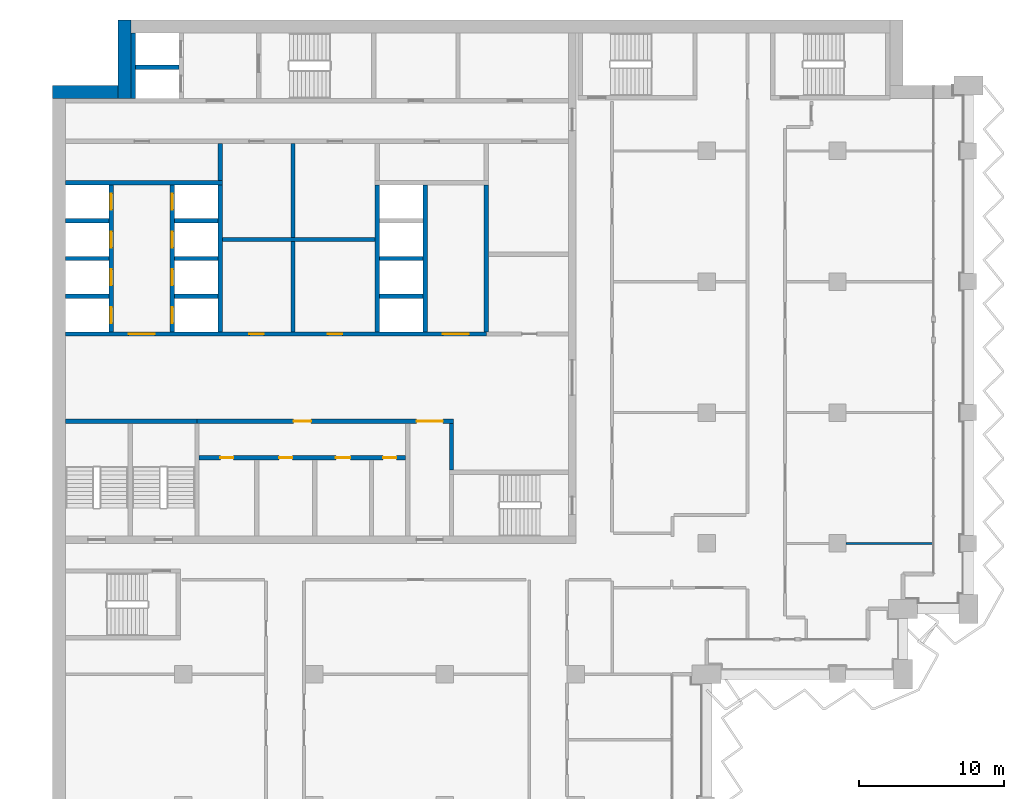
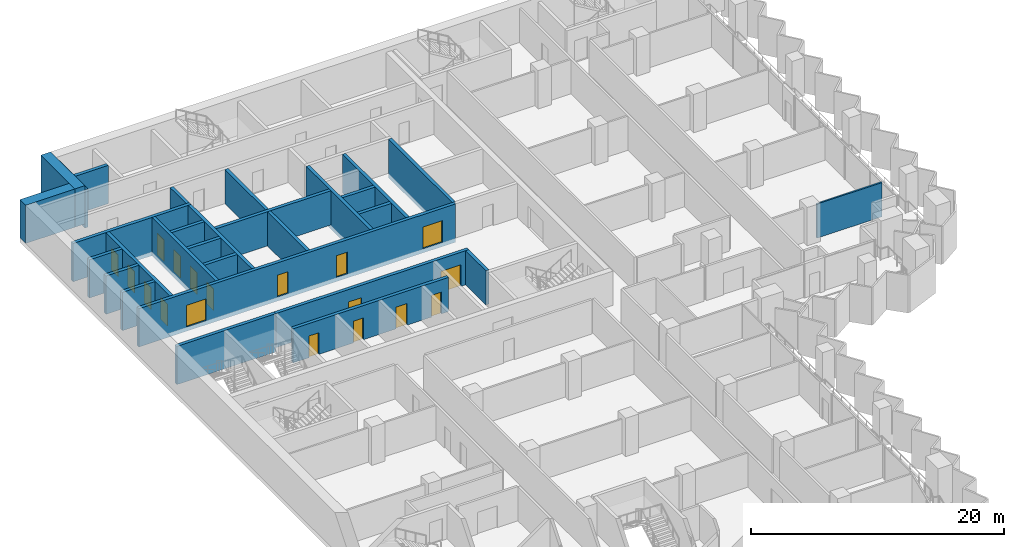
# One storey, part 12 of 22: 28 walls, 18 doors, 18 openings.
"""IFC4 building model written with IfcOpenShell, lengths in metres."""

import ifcopenshell
import ifcopenshell.guid

model = None  # the IFC model being written
_history = None  # IfcOwnerHistory: only IFC2X3 demands one
_inside = {}  # id of a spatial element -> (the spatial element, [elements in it])
_under = {}  # id of a project, library or spatial element -> (it, [spatial elements below it])
_declared = {}  # id of a project -> (the project, [libraries it declares])
_typed = {}  # id of a type object -> (the type object, [elements of that type])
_made_of = {}  # id of a material, layer set ... -> (it, [elements and type objects made of it])


def new_model(schema):
    """Start an empty IFC model of exactly this schema.

    Asked for "IFC4X3", IfcOpenShell would pick the latest addendum, in which some entities
    have other attributes; the version numbers below select the first issue.
    IFC2X3 requires an IfcOwnerHistory on every rooted entity: one is made here for all.
    """
    global model, _history
    if schema == "IFC4X3":
        model = ifcopenshell.file(schema_version=(4, 3, 0, 0))
    else:
        model = ifcopenshell.file(schema=schema)
    _inside.clear()
    _under.clear()
    _declared.clear()
    _typed.clear()
    _made_of.clear()
    _history = None
    if model.schema == "IFC2X3":
        org = make("IfcOrganization", Name="unknown")
        user = make(
            "IfcPersonAndOrganization",
            ThePerson=make("IfcPerson", FamilyName="unknown"),
            TheOrganization=org,
        )
        app = make(
            "IfcApplication",
            ApplicationDeveloper=org,
            Version="unknown",
            ApplicationFullName="unknown",
            ApplicationIdentifier="unknown",
        )
        _history = make(
            "IfcOwnerHistory",
            OwningUser=user,
            OwningApplication=app,
            ChangeAction="ADDED",
            CreationDate=0,
        )
    return model


def make(cls, **values):
    """One entity of the class cls with the attributes given. An attribute that is None is left unset."""
    return model.create_entity(
        cls, **{name: value for name, value in values.items() if value is not None}
    )


def rooted(cls, **values):
    """An entity with a GlobalId (a new one), such as an element, a storey or a relation."""
    return make(cls, GlobalId=ifcopenshell.guid.new(), OwnerHistory=_history, **values)


def si_unit(unit_type, name, prefix=None):
    """IfcSIUnit, for example si_unit("LENGTHUNIT", "METRE", prefix="MILLI")."""
    return make("IfcSIUnit", UnitType=unit_type, Prefix=prefix, Name=name)


def assignment(units):
    """IfcUnitAssignment: the units of a project."""
    return None if units is None else make("IfcUnitAssignment", Units=units)


def point(xyz):
    """IfcCartesianPoint."""
    return None if xyz is None else make("IfcCartesianPoint", Coordinates=xyz)


def direction(xyz):
    """IfcDirection."""
    return None if xyz is None else make("IfcDirection", DirectionRatios=xyz)


def frame(location, z_axis=None, x_axis=None):
    """IfcAxis2Placement3D, a coordinate frame: its origin and axes. An axis left out is left unset."""
    return make(
        "IfcAxis2Placement3D",
        Location=point(location),
        Axis=direction(z_axis),
        RefDirection=direction(x_axis),
    )


def frame_2d(location, x_axis=None):
    """IfcAxis2Placement2D, a coordinate frame in the plane: its origin and x axis."""
    return make(
        "IfcAxis2Placement2D", Location=point(location), RefDirection=direction(x_axis)
    )


def origin():
    """The frame at (0, 0, 0) with its axes left unset."""
    return frame((0.0, 0.0, 0.0))


def place(relative_to, where):
    """IfcLocalPlacement: puts the frame where relative to a parent placement (None: the world)."""
    return make(
        "IfcLocalPlacement", PlacementRelTo=relative_to, RelativePlacement=where
    )


def context(
    kind, dimensions, precision=None, world=None, true_north=None, identifier=None
):
    """IfcGeometricRepresentationContext, for example the 3D "Model" context."""
    return make(
        "IfcGeometricRepresentationContext",
        ContextIdentifier=identifier,
        ContextType=kind,
        CoordinateSpaceDimension=dimensions,
        Precision=precision,
        WorldCoordinateSystem=world,
        TrueNorth=true_north,
    )


def subcontext(parent, identifier, kind, view, scale=None):
    """IfcGeometricRepresentationSubContext, for example "Body" below "Model"."""
    return make(
        "IfcGeometricRepresentationSubContext",
        ContextIdentifier=identifier,
        ContextType=kind,
        ParentContext=parent,
        TargetScale=scale,
        TargetView=view,
    )


def project(units=None, contexts=None):
    """IfcProject with its units and contexts."""
    return rooted(
        "IfcProject",
        Name="project",
        RepresentationContexts=contexts,
        UnitsInContext=assignment(units),
    )


def spatial(cls, under=None, at=None, **own):
    """A site, building, storey or space (cls), placed at a placement, below another one or the project."""
    s = rooted(cls, ObjectPlacement=at, **own)
    if under is not None:
        _under.setdefault(under.id(), (under, []))[1].append(s)
    return s


def profile(cls, at=None, kind="AREA", **sizes):
    """A parametric profile (cls). Its sizes go by their IFC names, for example OverallWidth=200.0."""
    return make(cls, ProfileType=kind, Position=at, **sizes)


def rectangle(**sizes):
    """IfcRectangleProfileDef."""
    return profile("IfcRectangleProfileDef", **sizes)


def extrude(swept, where, along, depth):
    """IfcExtrudedAreaSolid: the profile swept, set in the frame where, extruded along a direction by depth."""
    return make(
        "IfcExtrudedAreaSolid",
        SweptArea=swept,
        Position=where,
        ExtrudedDirection=direction(along),
        Depth=depth,
    )


def shape(context_of_items, identifier, shape_type, items):
    """IfcShapeRepresentation: the items that make up one representation, for example the "Body"."""
    return make(
        "IfcShapeRepresentation",
        ContextOfItems=context_of_items,
        RepresentationIdentifier=identifier,
        RepresentationType=shape_type,
        Items=items,
    )


def material(Name=None, Category=None):
    """IfcMaterial."""
    return make("IfcMaterial", Name=Name, Category=Category)


def layer(
    of_material, thickness, ventilated=None, Name=None, Category=None, Priority=None
):
    """IfcMaterialLayer: one layer of a wall or slab, of a material (None: an air gap)."""
    return make(
        "IfcMaterialLayer",
        Material=of_material,
        LayerThickness=thickness,
        IsVentilated=ventilated,
        Name=Name,
        Category=Category,
        Priority=Priority,
    )


def layer_set(layers, Name=None):
    """IfcMaterialLayerSet."""
    return make("IfcMaterialLayerSet", MaterialLayers=layers, LayerSetName=Name)


def made_of(thing, what):
    """Note that an element or type object is made of a material, layer set ...; save() writes the relation."""
    if what is not None:
        _made_of.setdefault(what.id(), (what, []))[1].append(thing)
    return thing


def type_object(cls, material=None, **own):
    """A type object (cls), such as IfcWallType, which elements share."""
    return made_of(rooted(cls, **own), material)


def element(
    cls,
    number,
    at=None,
    inside=None,
    cuts=None,
    type_object=None,
    material=None,
    context=None,
    identifier="Body",
    shape_type=None,
    held_by="IfcProductDefinitionShape",
    body=None,
    shapes=None,
    **own,
):
    """One element of the class cls, such as IfcWall. Its Tag is "e" and its number.

    at: its placement. inside: the storey or other place that contains it. cuts: it is an
    opening in that element (IfcRelVoidsElement). A single representation is given by context,
    identifier, shape_type and body (its items); several are given by shapes. held_by: the class
    of the entity that holds the representations. save() writes the other relations.
    """
    e = rooted(cls, Tag="e%d" % number, ObjectPlacement=at, **own)
    if body is not None:
        shapes = [shape(context, identifier, shape_type, body)]
    if shapes is not None:
        e.Representation = make(held_by, Representations=shapes)
    if inside is not None:
        _inside.setdefault(inside.id(), (inside, []))[1].append(e)
    if cuts is not None:
        rooted(
            "IfcRelVoidsElement", RelatingBuildingElement=cuts, RelatedOpeningElement=e
        )
    if type_object is not None:
        _typed.setdefault(type_object.id(), (type_object, []))[1].append(e)
    return made_of(e, material)


def fill(opening, filler):
    """IfcRelFillsElement: the door or window that sits in an opening."""
    return rooted(
        "IfcRelFillsElement",
        RelatingOpeningElement=opening,
        RelatedBuildingElement=filler,
    )


def aggregate(whole, parts):
    """IfcRelAggregates: a whole, such as a stair, and the parts it consists of."""
    return rooted("IfcRelAggregates", RelatingObject=whole, RelatedObjects=parts)


def save(model, path):
    """Write the relations noted so far, then the file.

    IfcRelAggregates (storeys below a building ...), IfcRelContainedInSpatialStructure (elements
    in a storey), IfcRelDefinesByType, IfcRelAssociatesMaterial and IfcRelDeclares: one each for
    every whole, place, type object, material and project.
    """
    for whole, parts in _under.values():
        aggregate(whole, parts)
    for where, things in _inside.values():
        rooted(
            "IfcRelContainedInSpatialStructure",
            RelatedElements=things,
            RelatingStructure=where,
        )
    for kind, things in _typed.values():
        rooted("IfcRelDefinesByType", RelatedObjects=things, RelatingType=kind)
    for what, things in _made_of.values():
        rooted("IfcRelAssociatesMaterial", RelatedObjects=things, RelatingMaterial=what)
    for by, libraries in _declared.values():
        rooted("IfcRelDeclares", RelatingContext=by, RelatedDefinitions=libraries)
    model.write(path)


model = new_model("IFC4")

# Units and contexts
model_context = context("Model", 3, precision=1e-05, world=origin(), true_north=direction((0.0, 1.0)))
body_context = subcontext(model_context, "Body", "Model", "MODEL_VIEW")
ifc_project = project(units=[si_unit("LENGTHUNIT", "METRE"), si_unit("AREAUNIT", "SQUARE_METRE"), si_unit("VOLUMEUNIT", "CUBIC_METRE"), si_unit("PLANEANGLEUNIT", "RADIAN"), si_unit("MASSUNIT", "GRAM", prefix="KILO")], contexts=[model_context])

# Site, building, storey
site_placement = place(None, origin())
site = spatial("IfcSite", under=ifc_project, at=site_placement, CompositionType="ELEMENT")
building_placement = place(site_placement, origin())
building = spatial("IfcBuilding", under=site, at=building_placement, Name="Hunhe Ridgeline Campus", CompositionType="ELEMENT")
storey_placement = place(building_placement, frame((0.0, 0.0, 137.5)))
storey = spatial("IfcBuildingStorey", under=building, at=storey_placement, Name="L34", CompositionType="ELEMENT", Elevation=137.5)

# Wall, openings, doors
ifc_material_1 = material(Name="Masonry concrete blockwork", Category="masonry")
ifc_layer_1 = layer(ifc_material_1, 0.300048828125)
ifc_layer_set_1 = layer_set([ifc_layer_1], Name="Core room partition 300 concrete block")
wall_type_1 = type_object("IfcWallType", Name="Core room partition 300 concrete block", PredefinedType="PARTITIONING", material=ifc_layer_set_1)
wall_1_placement = place(storey_placement, frame((10.10009765625, 68.89990234375, 0.0), z_axis=(0.0, 0.0, 1.0), x_axis=(1.0, 0.0, 0.0)))
wall_1 = element("IfcWall", 1, at=wall_1_placement, inside=storey, type_object=wall_type_1, Name="L34 core partition 9", PredefinedType="PARTITIONING", context=body_context, shape_type="SweptSolid", body=[
    extrude(rectangle(XDim=14.199951171875, YDim=0.300048828125, at=frame_2d((7.10009765625, 0.0))), origin(), (0.0, 0.0, 1.0), 3.300048828125),
])
opening_1_placement = place(wall_1_placement, frame((1.449951171875, 0.0, 0.0)))
opening_1 = element("IfcOpeningElement", 2, at=opening_1_placement, cuts=wall_1, Name="Opening CD8", PredefinedType="OPENING", context=body_context, shape_type="SweptSolid", body=[
    extrude(rectangle(XDim=0.89990234375, YDim=2.10009765625, at=frame_2d((0.449951171875, 1.050048828125))), frame((0.0, 0.14990234375, 0.0), z_axis=(0.0, -1.0, 0.0), x_axis=(1.0, 0.0, 0.0)), (0.0, 0.0, 1.0), 0.300048828125),
])
opening_2_placement = place(wall_1_placement, frame((5.5, 0.0, 0.0)))
opening_2 = element("IfcOpeningElement", 3, at=opening_2_placement, cuts=wall_1, Name="Opening CD9", PredefinedType="OPENING", context=body_context, shape_type="SweptSolid", body=[
    extrude(rectangle(XDim=0.89990234375, YDim=2.10009765625, at=frame_2d((0.449951171875, 1.050048828125))), frame((0.0, 0.14990234375, 0.0), z_axis=(0.0, -1.0, 0.0), x_axis=(1.0, 0.0, 0.0)), (0.0, 0.0, 1.0), 0.300048828125),
])
opening_3_placement = place(wall_1_placement, frame((9.39990234375, 0.0, 0.0)))
opening_3 = element("IfcOpeningElement", 4, at=opening_3_placement, cuts=wall_1, Name="Opening CD10", PredefinedType="OPENING", context=body_context, shape_type="SweptSolid", body=[
    extrude(rectangle(XDim=1.0, YDim=2.10009765625, at=frame_2d((0.5, 1.050048828125))), frame((0.0, 0.14990234375, 0.0), z_axis=(0.0, -1.0, 0.0), x_axis=(1.0, 0.0, 0.0)), (0.0, 0.0, 1.0), 0.300048828125),
])
opening_4_placement = place(wall_1_placement, frame((12.64990234375, 0.0, 0.0)))
opening_4 = element("IfcOpeningElement", 5, at=opening_4_placement, cuts=wall_1, Name="Opening CD11", PredefinedType="OPENING", context=body_context, shape_type="SweptSolid", body=[
    extrude(rectangle(XDim=0.89990234375, YDim=2.10009765625, at=frame_2d((0.449951171875, 1.050048828125))), frame((0.0, 0.14990234375, 0.0), z_axis=(0.0, -1.0, 0.0), x_axis=(1.0, 0.0, 0.0)), (0.0, 0.0, 1.0), 0.300048828125),
])
ifc_material_2 = material(Name="Solid core timber door leaf", Category="wood")
door_type_1 = type_object("IfcDoorType", Name="Timber door 1000x2100", OperationType="SINGLE_SWING_LEFT", PredefinedType="DOOR", material=ifc_material_2)
door_1_placement = place(opening_3_placement, frame((1.0, 0.0, 0.0), z_axis=(0.0, 0.0, 1.0), x_axis=(-1.0, 0.0, 0.0)))
door_1 = element("IfcDoor", 6, at=door_1_placement, inside=storey, type_object=door_type_1, Name="L34 door WC3", OperationType="SINGLE_SWING_RIGHT", OverallHeight=2.10009765625, OverallWidth=1.0, PredefinedType="DOOR", context=body_context, shape_type="SweptSolid", body=[
    extrude(rectangle(XDim=1.0, YDim=2.10009765625, at=frame_2d((0.5, 1.050048828125))), frame((0.0, 0.02490234375, 0.0), z_axis=(0.0, -1.0, 0.0), x_axis=(1.0, 0.0, 0.0)), (0.0, 0.0, 1.0), 0.050048828125),
])
fill(opening_3, door_1)
door_type_2 = type_object("IfcDoorType", Name="Timber door 900x2100", OperationType="SINGLE_SWING_LEFT", PredefinedType="DOOR", material=ifc_material_2)
door_2_placement = place(opening_1_placement, frame((0.89990234375, 0.0, 0.0), z_axis=(0.0, 0.0, 1.0), x_axis=(-1.0, 0.0, 0.0)))
door_2 = element("IfcDoor", 7, at=door_2_placement, inside=storey, type_object=door_type_2, Name="L34 door WC1", OperationType="SINGLE_SWING_RIGHT", OverallHeight=2.10009765625, OverallWidth=0.89990234375, PredefinedType="DOOR", context=body_context, shape_type="SweptSolid", body=[
    extrude(rectangle(XDim=0.89990234375, YDim=2.10009765625, at=frame_2d((0.449951171875, 1.050048828125))), frame((0.0, 0.02490234375, 0.0), z_axis=(0.0, -1.0, 0.0), x_axis=(1.0, 0.0, 0.0)), (0.0, 0.0, 1.0), 0.050048828125),
])
fill(opening_1, door_2)
door_3_placement = place(opening_2_placement, frame((0.89990234375, 0.0, 0.0), z_axis=(0.0, 0.0, 1.0), x_axis=(-1.0, 0.0, 0.0)))
door_3 = element("IfcDoor", 8, at=door_3_placement, inside=storey, type_object=door_type_2, Name="L34 door WC2", OperationType="SINGLE_SWING_LEFT", OverallHeight=2.10009765625, OverallWidth=0.89990234375, PredefinedType="DOOR", context=body_context, shape_type="SweptSolid", body=[
    extrude(rectangle(XDim=0.89990234375, YDim=2.10009765625, at=frame_2d((0.449951171875, 1.050048828125))), frame((0.0, 0.02490234375, 0.0), z_axis=(0.0, -1.0, 0.0), x_axis=(1.0, 0.0, 0.0)), (0.0, 0.0, 1.0), 0.050048828125),
])
fill(opening_2, door_3)
door_4_placement = place(opening_4_placement, frame((0.89990234375, 0.0, 0.0), z_axis=(0.0, 0.0, 1.0), x_axis=(-1.0, 0.0, 0.0)))
door_4 = element("IfcDoor", 9, at=door_4_placement, inside=storey, type_object=door_type_2, Name="L34 door WC4", OperationType="SINGLE_SWING_LEFT", OverallHeight=2.10009765625, OverallWidth=0.89990234375, PredefinedType="DOOR", context=body_context, shape_type="SweptSolid", body=[
    extrude(rectangle(XDim=0.89990234375, YDim=2.10009765625, at=frame_2d((0.449951171875, 1.050048828125))), frame((0.0, 0.02490234375, 0.0), z_axis=(0.0, -1.0, 0.0), x_axis=(1.0, 0.0, 0.0)), (0.0, 0.0, 1.0), 0.050048828125),
])
fill(opening_4, door_4)

wall_2_placement = place(storey_placement, frame((9.949951171875, 71.39990234375, 0.0), z_axis=(0.0, 0.0, 1.0), x_axis=(1.0, 0.0, 0.0)))
wall_2 = element("IfcWall", 10, at=wall_2_placement, inside=storey, type_object=wall_type_1, Name="L34 core partition 11", PredefinedType="PARTITIONING", context=body_context, shape_type="SweptSolid", body=[
    extrude(rectangle(XDim=17.650146484375, YDim=0.300048828125, at=frame_2d((8.8251953125, 0.0))), origin(), (0.0, 0.0, 1.0), 3.300048828125),
])
opening_5_placement = place(wall_2_placement, frame((15.10009765625, 0.0, 0.0)))
opening_5 = element("IfcOpeningElement", 11, at=opening_5_placement, cuts=wall_2, Name="Opening CD7", PredefinedType="OPENING", context=body_context, shape_type="SweptSolid", body=[
    extrude(rectangle(XDim=1.800048828125, YDim=2.10009765625, at=frame_2d((0.89990234375, 1.050048828125))), frame((0.0, 0.14990234375, 0.0), z_axis=(0.0, -1.0, 0.0), x_axis=(1.0, 0.0, 0.0)), (0.0, 0.0, 1.0), 0.300048828125),
])
opening_6_placement = place(wall_2_placement, frame((6.64990234375, 0.0, 0.0)))
opening_6 = element("IfcOpeningElement", 12, at=opening_6_placement, cuts=wall_2, Name="Opening CD37", PredefinedType="OPENING", context=body_context, shape_type="SweptSolid", body=[
    extrude(rectangle(XDim=1.199951171875, YDim=2.10009765625, at=frame_2d((0.60009765625, 1.050048828125))), frame((0.0, 0.14990234375, 0.0), z_axis=(0.0, -1.0, 0.0), x_axis=(1.0, 0.0, 0.0)), (0.0, 0.0, 1.0), 0.300048828125),
])
ifc_material_3 = material(Name="Anodised aluminium and glass", Category="aluminium")
door_type_3 = type_object("IfcDoorType", Name="Glazed double door 1800x2100", OperationType="DOUBLE_DOOR_SINGLE_SWING", PredefinedType="DOOR", material=ifc_material_3)
door_5_placement = place(opening_5_placement, origin())
door_5 = element("IfcDoor", 13, at=door_5_placement, inside=storey, type_object=door_type_3, Name="L34 door VEST-HALL", OperationType="DOUBLE_DOOR_SINGLE_SWING", OverallHeight=2.10009765625, OverallWidth=1.800048828125, PredefinedType="DOOR", context=body_context, shape_type="SweptSolid", body=[
    extrude(rectangle(XDim=1.800048828125, YDim=2.10009765625, at=frame_2d((0.89990234375, 1.050048828125))), frame((0.0, 0.02490234375, 0.0), z_axis=(0.0, -1.0, 0.0), x_axis=(1.0, 0.0, 0.0)), (0.0, 0.0, 1.0), 0.050048828125),
])
fill(opening_5, door_5)
door_type_4 = type_object("IfcDoorType", Name="Timber door 1200x2100", OperationType="SINGLE_SWING_LEFT", PredefinedType="DOOR", material=ifc_material_2)
door_6_placement = place(opening_6_placement, origin())
door_6 = element("IfcDoor", 14, at=door_6_placement, inside=storey, type_object=door_type_4, Name="L34 door WCL1-HALL", OperationType="SINGLE_SWING_LEFT", OverallHeight=2.10009765625, OverallWidth=1.199951171875, PredefinedType="DOOR", context=body_context, shape_type="SweptSolid", body=[
    extrude(rectangle(XDim=1.199951171875, YDim=2.10009765625, at=frame_2d((0.60009765625, 1.050048828125))), frame((0.0, 0.02490234375, 0.0), z_axis=(0.0, -1.0, 0.0), x_axis=(1.0, 0.0, 0.0)), (0.0, 0.0, 1.0), 0.050048828125),
])
fill(opening_6, door_6)

# Walls
wall_3_placement = place(storey_placement, frame((11.699951171875, 83.89990234375, 0.0), z_axis=(0.0, 0.0, 1.0), x_axis=(1.0, 0.0, 0.0)))
element("IfcWall", 15, at=wall_3_placement, inside=storey, type_object=wall_type_1, Name="L34 core partition 21", PredefinedType="PARTITIONING", context=body_context, shape_type="SweptSolid", body=[
    extrude(rectangle(XDim=10.5, YDim=0.300048828125, at=frame_2d((5.25, 0.0))), origin(), (0.0, 0.0, 1.0), 3.300048828125),
])
wall_4_placement = place(storey_placement, frame((11.550048828125, 87.949951171875, 0.0), z_axis=(0.0, 0.0, 1.0), x_axis=(0.0, 1.0, 0.0)))
element("IfcWall", 16, at=wall_4_placement, inside=storey, type_object=wall_type_1, Name="L34 core partition 41", PredefinedType="PARTITIONING", context=body_context, shape_type="SweptSolid", body=[
    extrude(rectangle(XDim=2.550048828125, YDim=0.300048828125, at=frame_2d((1.27490234375, 0.0))), origin(), (0.0, 0.0, 1.0), 3.300048828125),
])
wall_5_placement = place(storey_placement, frame((16.550048828125, 77.550048828125, 0.0), z_axis=(0.0, 0.0, 1.0), x_axis=(0.0, 1.0, 0.0)))
element("IfcWall", 17, at=wall_5_placement, inside=storey, type_object=wall_type_1, Name="L34 core partition 44", PredefinedType="PARTITIONING", context=body_context, shape_type="SweptSolid", body=[
    extrude(rectangle(XDim=12.949951171875, YDim=0.300048828125, at=frame_2d((6.47509765625, 0.0))), origin(), (0.0, 0.0, 1.0), 3.300048828125),
])
wall_6_placement = place(storey_placement, frame((27.449951171875, 68.050048828125, 0.0), z_axis=(0.0, 0.0, 1.0), x_axis=(0.0, 1.0, 0.0)))
element("IfcWall", 18, at=wall_6_placement, inside=storey, type_object=wall_type_1, Name="L34 core partition 55", PredefinedType="PARTITIONING", context=body_context, shape_type="SweptSolid", body=[
    extrude(rectangle(XDim=3.199951171875, YDim=0.300048828125, at=frame_2d((1.60009765625, 0.0))), origin(), (0.0, 0.0, 1.0), 3.300048828125),
])
ifc_material_4 = material(Name="Concrete C70", Category="concrete")
ifc_layer_2 = layer(ifc_material_4, 0.300048828125)
ifc_layer_set_2 = layer_set([ifc_layer_2], Name="Lobby wall 300 reinforced concrete C70")
wall_type_2 = type_object("IfcWallType", Name="Lobby wall 300 reinforced concrete C70", PredefinedType="SOLIDWALL", material=ifc_layer_set_2)
wall_7_placement = place(storey_placement, frame((29.85009765625, 77.550048828125, -0.39990234375), z_axis=(0.0, 0.0, 1.0), x_axis=(0.0, 1.0, 0.0)))
element("IfcWall", 19, at=wall_7_placement, inside=storey, type_object=wall_type_2, Name="L34 core wall 57", PredefinedType="SOLIDWALL", context=body_context, shape_type="SweptSolid", body=[
    extrude(rectangle(XDim=10.099853515625, YDim=0.300048828125, at=frame_2d((5.0498046875, 0.0))), origin(), (0.0, 0.0, 1.0), 3.699951171875),
])
ifc_material_5 = material(Name="Gypsum board partition")
ifc_layer_3 = layer(ifc_material_5, 0.14990234375)
ifc_layer_set_3 = layer_set([ifc_layer_3], Name="Room partition 150 gypsum board on steel studs")
wall_type_3 = type_object("IfcWallType", Name="Room partition 150 gypsum board on steel studs", PredefinedType="PARTITIONING", material=ifc_layer_set_3)
wall_8_placement = place(storey_placement, frame((54.60009765625, 63.0, 0.0), z_axis=(0.0, 0.0, 1.0), x_axis=(1.0, 0.0, 0.0)))
element("IfcWall", 20, at=wall_8_placement, inside=storey, type_object=wall_type_3, Name="F-L34-wall-043", PredefinedType="PARTITIONING", context=body_context, shape_type="SweptSolid", body=[
    extrude(rectangle(XDim=5.94482421875, YDim=0.14990234375, at=frame_2d((2.972412109375, 0.0))), origin(), (0.0, 0.0, 1.0), 3.300048828125),
])

# Wall, openings, doors
ifc_layer_4 = layer(ifc_material_4, 0.300048828125)
ifc_layer_set_4 = layer_set([ifc_layer_4], Name="Shaft wall 300 reinforced concrete C70")
wall_type_4 = type_object("IfcWallType", Name="Shaft wall 300 reinforced concrete C70", PredefinedType="SOLIDWALL", material=ifc_layer_set_4)
wall_9_placement = place(storey_placement, frame((0.89990234375, 77.39990234375, -0.39990234375), z_axis=(0.0, 0.0, 1.0), x_axis=(1.0, 0.0, 0.0)))
wall_9 = element("IfcWall", 21, at=wall_9_placement, inside=storey, type_object=wall_type_4, Name="L34 core wall 12", PredefinedType="SOLIDWALL", context=body_context, shape_type="SweptSolid", body=[
    extrude(rectangle(XDim=28.9501953125, YDim=0.300048828125, at=frame_2d((14.47509765625, 0.0))), origin(), (0.0, 0.0, 1.0), 3.699951171875),
])
opening_7_placement = place(wall_9_placement, frame((4.35009765625, 0.0, 0.39990234375)))
opening_7 = element("IfcOpeningElement", 22, at=opening_7_placement, cuts=wall_9, Name="Opening CD1", PredefinedType="OPENING", context=body_context, shape_type="SweptSolid", body=[
    extrude(rectangle(XDim=1.800048828125, YDim=2.10009765625, at=frame_2d((0.89990234375, 1.050048828125))), frame((0.0, 0.14990234375, 0.0), z_axis=(0.0, -1.0, 0.0), x_axis=(1.0, 0.0, 0.0)), (0.0, 0.0, 1.0), 0.300048828125),
])
opening_8_placement = place(wall_9_placement, frame((25.949951171875, 0.0, 0.39990234375)))
opening_8 = element("IfcOpeningElement", 23, at=opening_8_placement, cuts=wall_9, Name="Opening CD2", PredefinedType="OPENING", context=body_context, shape_type="SweptSolid", body=[
    extrude(rectangle(XDim=1.800048828125, YDim=2.10009765625, at=frame_2d((0.89990234375, 1.050048828125))), frame((0.0, 0.14990234375, 0.0), z_axis=(0.0, -1.0, 0.0), x_axis=(1.0, 0.0, 0.0)), (0.0, 0.0, 1.0), 0.300048828125),
])
opening_9_placement = place(wall_9_placement, frame((12.64990234375, 0.0, 0.39990234375)))
opening_9 = element("IfcOpeningElement", 24, at=opening_9_placement, cuts=wall_9, Name="Opening CD28", PredefinedType="OPENING", context=body_context, shape_type="SweptSolid", body=[
    extrude(rectangle(XDim=1.0, YDim=2.10009765625, at=frame_2d((0.5, 1.050048828125))), frame((0.0, 0.14990234375, 0.0), z_axis=(0.0, -1.0, 0.0), x_axis=(1.0, 0.0, 0.0)), (0.0, 0.0, 1.0), 0.300048828125),
])
opening_10_placement = place(wall_9_placement, frame((18.050048828125, 0.0, 0.39990234375)))
opening_10 = element("IfcOpeningElement", 25, at=opening_10_placement, cuts=wall_9, Name="Opening CD30", PredefinedType="OPENING", context=body_context, shape_type="SweptSolid", body=[
    extrude(rectangle(XDim=1.0, YDim=2.10009765625, at=frame_2d((0.5, 1.050048828125))), frame((0.0, 0.14990234375, 0.0), z_axis=(0.0, -1.0, 0.0), x_axis=(1.0, 0.0, 0.0)), (0.0, 0.0, 1.0), 0.300048828125),
])
ifc_material_6 = material(Name="Hollow metal fire door leaf")
door_type_5 = type_object("IfcDoorType", Name="Lobby door 1800x2100 FD60", OperationType="SINGLE_SWING_LEFT", PredefinedType="DOOR", material=ifc_material_6)
door_7_placement = place(opening_7_placement, frame((1.800048828125, 0.0, 0.0), z_axis=(0.0, 0.0, 1.0), x_axis=(-1.0, 0.0, 0.0)))
door_7 = element("IfcDoor", 26, at=door_7_placement, inside=storey, type_object=door_type_5, Name="L34 door LOB-LR", OperationType="SINGLE_SWING_RIGHT", OverallHeight=2.10009765625, OverallWidth=1.800048828125, PredefinedType="DOOR", context=body_context, shape_type="SweptSolid", body=[
    extrude(rectangle(XDim=1.800048828125, YDim=2.10009765625, at=frame_2d((0.89990234375, 1.050048828125))), frame((0.0, 0.02490234375, 0.0), z_axis=(0.0, -1.0, 0.0), x_axis=(1.0, 0.0, 0.0)), (0.0, 0.0, 1.0), 0.050048828125),
])
fill(opening_7, door_7)
door_8_placement = place(opening_8_placement, frame((1.800048828125, 0.0, 0.0), z_axis=(0.0, 0.0, 1.0), x_axis=(-1.0, 0.0, 0.0)))
door_8 = element("IfcDoor", 27, at=door_8_placement, inside=storey, type_object=door_type_5, Name="L34 door LOB-SH", OperationType="SINGLE_SWING_LEFT", OverallHeight=2.10009765625, OverallWidth=1.800048828125, PredefinedType="DOOR", context=body_context, shape_type="SweptSolid", body=[
    extrude(rectangle(XDim=1.800048828125, YDim=2.10009765625, at=frame_2d((0.89990234375, 1.050048828125))), frame((0.0, 0.02490234375, 0.0), z_axis=(0.0, -1.0, 0.0), x_axis=(1.0, 0.0, 0.0)), (0.0, 0.0, 1.0), 0.050048828125),
])
fill(opening_8, door_8)
door_9_placement = place(opening_9_placement, origin())
door_9 = element("IfcDoor", 28, at=door_9_placement, inside=storey, type_object=door_type_1, Name="L34 door VD-HR0", OperationType="SINGLE_SWING_RIGHT", OverallHeight=2.10009765625, OverallWidth=1.0, PredefinedType="DOOR", context=body_context, shape_type="SweptSolid", body=[
    extrude(rectangle(XDim=1.0, YDim=2.10009765625, at=frame_2d((0.5, 1.050048828125))), frame((0.0, 0.02490234375, 0.0), z_axis=(0.0, -1.0, 0.0), x_axis=(1.0, 0.0, 0.0)), (0.0, 0.0, 1.0), 0.050048828125),
])
fill(opening_9, door_9)
door_10_placement = place(opening_10_placement, origin())
door_10 = element("IfcDoor", 29, at=door_10_placement, inside=storey, type_object=door_type_1, Name="L34 door VD-HR2", OperationType="SINGLE_SWING_RIGHT", OverallHeight=2.10009765625, OverallWidth=1.0, PredefinedType="DOOR", context=body_context, shape_type="SweptSolid", body=[
    extrude(rectangle(XDim=1.0, YDim=2.10009765625, at=frame_2d((0.5, 1.050048828125))), frame((0.0, 0.02490234375, 0.0), z_axis=(0.0, -1.0, 0.0), x_axis=(1.0, 0.0, 0.0)), (0.0, 0.0, 1.0), 0.050048828125),
])
fill(opening_10, door_10)

# Walls
for number, where, z_axis, x_axis, name in (
    (30, (0.89990234375, 80.0, -0.39990234375), (0.0, 0.0, 1.0), (1.0, 0.0, 0.0), "L34 core wall 14"),
    (31, (8.39990234375, 80.0, -0.39990234375), (0.0, 0.0, 1.0), (1.0, 0.0, 0.0), "L34 core wall 15"),
    (32, (22.5, 80.0, -0.39990234375), (0.0, 0.0, 1.0), (1.0, 0.0, 0.0), "L34 core wall 16"),
    (33, (0.89990234375, 82.60009765625, -0.39990234375), (0.0, 0.0, 1.0), (1.0, 0.0, 0.0), "L34 core wall 17"),
    (34, (8.39990234375, 82.60009765625, -0.39990234375), (0.0, 0.0, 1.0), (1.0, 0.0, 0.0), "L34 core wall 18"),
    (35, (22.5, 82.60009765625, -0.39990234375), (0.0, 0.0, 1.0), (1.0, 0.0, 0.0), "L34 core wall 19"),
    (36, (0.89990234375, 85.199951171875, -0.39990234375), (0.0, 0.0, 1.0), (1.0, 0.0, 0.0), "L34 core wall 22"),
    (37, (8.39990234375, 85.199951171875, -0.39990234375), (0.0, 0.0, 1.0), (1.0, 0.0, 0.0), "L34 core wall 23"),
):
    element("IfcWall", number, at=place(storey_placement, frame(where, z_axis=z_axis, x_axis=x_axis)), inside=storey, type_object=wall_type_4, Name=name, PredefinedType="SOLIDWALL", context=body_context, shape_type="SweptSolid", body=[
        extrude(rectangle(XDim=3.0, YDim=0.300048828125, at=frame_2d((1.5, 0.0))), origin(), (0.0, 0.0, 1.0), 3.699951171875),
    ])
wall_10_placement = place(storey_placement, frame((0.89990234375, 87.800048828125, -0.39990234375), z_axis=(0.0, 0.0, 1.0), x_axis=(1.0, 0.0, 0.0)))
element("IfcWall", 38, at=wall_10_placement, inside=storey, type_object=wall_type_4, Name="L34 core wall 25", PredefinedType="SOLIDWALL", context=body_context, shape_type="SweptSolid", body=[
    extrude(rectangle(XDim=10.800048828125, YDim=0.300048828125, at=frame_2d((5.39990234375, 0.0))), origin(), (0.0, 0.0, 1.0), 3.699951171875),
])
wall_11_placement = place(storey_placement, frame((5.699951171875, 95.75, -0.39990234375), z_axis=(0.0, 0.0, 1.0), x_axis=(1.0, 0.0, 0.0)))
element("IfcWall", 39, at=wall_11_placement, inside=storey, type_object=wall_type_4, Name="L34 core wall 31", PredefinedType="SOLIDWALL", context=body_context, shape_type="SweptSolid", body=[
    extrude(rectangle(XDim=3.0, YDim=0.300048828125, at=frame_2d((1.5, 0.0))), origin(), (0.0, 0.0, 1.0), 3.699951171875),
])

# Wall, openings, doors
wall_12_placement = place(storey_placement, frame((4.050048828125, 77.550048828125, -0.39990234375), z_axis=(0.0, 0.0, 1.0), x_axis=(0.0, 1.0, 0.0)))
wall_12 = element("IfcWall", 40, at=wall_12_placement, inside=storey, type_object=wall_type_4, Name="L34 core wall 32", PredefinedType="SOLIDWALL", context=body_context, shape_type="SweptSolid", body=[
    extrude(rectangle(XDim=10.099853515625, YDim=0.300048828125, at=frame_2d((5.0498046875, 0.0))), origin(), (0.0, 0.0, 1.0), 3.699951171875),
])
opening_11_placement = place(wall_12_placement, frame((0.60009765625, 0.0, 0.39990234375)))
opening_11 = element("IfcOpeningElement", 41, at=opening_11_placement, cuts=wall_12, Name="Opening LD-LR1", PredefinedType="OPENING", context=body_context, shape_type="SweptSolid", body=[
    extrude(rectangle(XDim=1.10009765625, YDim=2.10009765625, at=frame_2d((0.550048828125, 1.050048828125))), frame((0.0, 0.14990234375, 0.0), z_axis=(0.0, -1.0, 0.0), x_axis=(1.0, 0.0, 0.0)), (0.0, 0.0, 1.0), 0.300048828125),
])
opening_12_placement = place(wall_12_placement, frame((3.199951171875, 0.0, 0.39990234375)))
opening_12 = element("IfcOpeningElement", 42, at=opening_12_placement, cuts=wall_12, Name="Opening LD-LR2", PredefinedType="OPENING", context=body_context, shape_type="SweptSolid", body=[
    extrude(rectangle(XDim=1.10009765625, YDim=2.10009765625, at=frame_2d((0.550048828125, 1.050048828125))), frame((0.0, 0.14990234375, 0.0), z_axis=(0.0, -1.0, 0.0), x_axis=(1.0, 0.0, 0.0)), (0.0, 0.0, 1.0), 0.300048828125),
])
opening_13_placement = place(wall_12_placement, frame((5.800048828125, 0.0, 0.39990234375)))
opening_13 = element("IfcOpeningElement", 43, at=opening_13_placement, cuts=wall_12, Name="Opening LD-LR3", PredefinedType="OPENING", context=body_context, shape_type="SweptSolid", body=[
    extrude(rectangle(XDim=1.10009765625, YDim=2.10009765625, at=frame_2d((0.550048828125, 1.050048828125))), frame((0.0, 0.14990234375, 0.0), z_axis=(0.0, -1.0, 0.0), x_axis=(1.0, 0.0, 0.0)), (0.0, 0.0, 1.0), 0.300048828125),
])
opening_14_placement = place(wall_12_placement, frame((8.39990234375, 0.0, 0.39990234375)))
opening_14 = element("IfcOpeningElement", 44, at=opening_14_placement, cuts=wall_12, Name="Opening LD-LR4", PredefinedType="OPENING", context=body_context, shape_type="SweptSolid", body=[
    extrude(rectangle(XDim=1.10009765625, YDim=2.10009765625, at=frame_2d((0.550048828125, 1.050048828125))), frame((0.0, 0.14990234375, 0.0), z_axis=(0.0, -1.0, 0.0), x_axis=(1.0, 0.0, 0.0)), (0.0, 0.0, 1.0), 0.300048828125),
])
ifc_material_7 = material(Name="Stainless steel sliding leaves", Category="steel")
door_type_6 = type_object("IfcDoorType", Name="Landing door 1100x2100 FD120", OperationType="SLIDING_TO_LEFT", PredefinedType="DOOR", material=ifc_material_7)
door_11_placement = place(opening_11_placement, origin())
door_11 = element("IfcDoor", 45, at=door_11_placement, inside=storey, type_object=door_type_6, Name="L34 landing door LR1", OperationType="SLIDING_TO_RIGHT", OverallHeight=2.10009765625, OverallWidth=1.10009765625, PredefinedType="DOOR", context=body_context, shape_type="SweptSolid", body=[
    extrude(rectangle(XDim=1.10009765625, YDim=2.10009765625, at=frame_2d((0.550048828125, 1.050048828125))), frame((0.0, 0.02490234375, 0.0), z_axis=(0.0, -1.0, 0.0), x_axis=(1.0, 0.0, 0.0)), (0.0, 0.0, 1.0), 0.050048828125),
])
fill(opening_11, door_11)
door_12_placement = place(opening_12_placement, origin())
door_12 = element("IfcDoor", 46, at=door_12_placement, inside=storey, type_object=door_type_6, Name="L34 landing door LR2", OperationType="SLIDING_TO_LEFT", OverallHeight=2.10009765625, OverallWidth=1.10009765625, PredefinedType="DOOR", context=body_context, shape_type="SweptSolid", body=[
    extrude(rectangle(XDim=1.10009765625, YDim=2.10009765625, at=frame_2d((0.550048828125, 1.050048828125))), frame((0.0, 0.02490234375, 0.0), z_axis=(0.0, -1.0, 0.0), x_axis=(1.0, 0.0, 0.0)), (0.0, 0.0, 1.0), 0.050048828125),
])
fill(opening_12, door_12)
door_13_placement = place(opening_13_placement, origin())
door_13 = element("IfcDoor", 47, at=door_13_placement, inside=storey, type_object=door_type_6, Name="L34 landing door LR3", OperationType="SLIDING_TO_RIGHT", OverallHeight=2.10009765625, OverallWidth=1.10009765625, PredefinedType="DOOR", context=body_context, shape_type="SweptSolid", body=[
    extrude(rectangle(XDim=1.10009765625, YDim=2.10009765625, at=frame_2d((0.550048828125, 1.050048828125))), frame((0.0, 0.02490234375, 0.0), z_axis=(0.0, -1.0, 0.0), x_axis=(1.0, 0.0, 0.0)), (0.0, 0.0, 1.0), 0.050048828125),
])
fill(opening_13, door_13)
door_14_placement = place(opening_14_placement, origin())
door_14 = element("IfcDoor", 48, at=door_14_placement, inside=storey, type_object=door_type_6, Name="L34 landing door LR4", OperationType="SLIDING_TO_LEFT", OverallHeight=2.10009765625, OverallWidth=1.10009765625, PredefinedType="DOOR", context=body_context, shape_type="SweptSolid", body=[
    extrude(rectangle(XDim=1.10009765625, YDim=2.10009765625, at=frame_2d((0.550048828125, 1.050048828125))), frame((0.0, 0.02490234375, 0.0), z_axis=(0.0, -1.0, 0.0), x_axis=(1.0, 0.0, 0.0)), (0.0, 0.0, 1.0), 0.050048828125),
])
fill(opening_14, door_14)

# Wall
wall_13_placement = place(storey_placement, frame((5.550048828125, 93.60009765625, -0.39990234375), z_axis=(0.0, 0.0, 1.0), x_axis=(0.0, 1.0, 0.0)))
element("IfcWall", 49, at=wall_13_placement, inside=storey, type_object=wall_type_4, Name="L34 core wall 34", PredefinedType="SOLIDWALL", context=body_context, shape_type="SweptSolid", body=[
    extrude(rectangle(XDim=4.5, YDim=0.300048828125, at=frame_2d((2.25, 0.0))), origin(), (0.0, 0.0, 1.0), 3.699951171875),
])

# Wall, openings, doors
wall_14_placement = place(storey_placement, frame((8.25, 77.550048828125, -0.39990234375), z_axis=(0.0, 0.0, 1.0), x_axis=(0.0, 1.0, 0.0)))
wall_14 = element("IfcWall", 50, at=wall_14_placement, inside=storey, type_object=wall_type_4, Name="L34 core wall 35", PredefinedType="SOLIDWALL", context=body_context, shape_type="SweptSolid", body=[
    extrude(rectangle(XDim=10.099853515625, YDim=0.300048828125, at=frame_2d((5.0498046875, 0.0))), origin(), (0.0, 0.0, 1.0), 3.699951171875),
])
opening_15_placement = place(wall_14_placement, frame((0.60009765625, 0.0, 0.39990234375)))
opening_15 = element("IfcOpeningElement", 51, at=opening_15_placement, cuts=wall_14, Name="Opening LD-LR5", PredefinedType="OPENING", context=body_context, shape_type="SweptSolid", body=[
    extrude(rectangle(XDim=1.10009765625, YDim=2.10009765625, at=frame_2d((0.550048828125, 1.050048828125))), frame((0.0, 0.14990234375, 0.0), z_axis=(0.0, -1.0, 0.0), x_axis=(1.0, 0.0, 0.0)), (0.0, 0.0, 1.0), 0.300048828125),
])
opening_16_placement = place(wall_14_placement, frame((3.199951171875, 0.0, 0.39990234375)))
opening_16 = element("IfcOpeningElement", 52, at=opening_16_placement, cuts=wall_14, Name="Opening LD-LR6", PredefinedType="OPENING", context=body_context, shape_type="SweptSolid", body=[
    extrude(rectangle(XDim=1.10009765625, YDim=2.10009765625, at=frame_2d((0.550048828125, 1.050048828125))), frame((0.0, 0.14990234375, 0.0), z_axis=(0.0, -1.0, 0.0), x_axis=(1.0, 0.0, 0.0)), (0.0, 0.0, 1.0), 0.300048828125),
])
opening_17_placement = place(wall_14_placement, frame((5.800048828125, 0.0, 0.39990234375)))
opening_17 = element("IfcOpeningElement", 53, at=opening_17_placement, cuts=wall_14, Name="Opening LD-LR7", PredefinedType="OPENING", context=body_context, shape_type="SweptSolid", body=[
    extrude(rectangle(XDim=1.10009765625, YDim=2.10009765625, at=frame_2d((0.550048828125, 1.050048828125))), frame((0.0, 0.14990234375, 0.0), z_axis=(0.0, -1.0, 0.0), x_axis=(1.0, 0.0, 0.0)), (0.0, 0.0, 1.0), 0.300048828125),
])
opening_18_placement = place(wall_14_placement, frame((8.39990234375, 0.0, 0.39990234375)))
opening_18 = element("IfcOpeningElement", 54, at=opening_18_placement, cuts=wall_14, Name="Opening LD-LR8", PredefinedType="OPENING", context=body_context, shape_type="SweptSolid", body=[
    extrude(rectangle(XDim=1.10009765625, YDim=2.10009765625, at=frame_2d((0.550048828125, 1.050048828125))), frame((0.0, 0.14990234375, 0.0), z_axis=(0.0, -1.0, 0.0), x_axis=(1.0, 0.0, 0.0)), (0.0, 0.0, 1.0), 0.300048828125),
])
door_15_placement = place(opening_15_placement, origin())
door_15 = element("IfcDoor", 55, at=door_15_placement, inside=storey, type_object=door_type_6, Name="L34 landing door LR5", OperationType="SLIDING_TO_RIGHT", OverallHeight=2.10009765625, OverallWidth=1.10009765625, PredefinedType="DOOR", context=body_context, shape_type="SweptSolid", body=[
    extrude(rectangle(XDim=1.10009765625, YDim=2.10009765625, at=frame_2d((0.550048828125, 1.050048828125))), frame((0.0, 0.02490234375, 0.0), z_axis=(0.0, -1.0, 0.0), x_axis=(1.0, 0.0, 0.0)), (0.0, 0.0, 1.0), 0.050048828125),
])
fill(opening_15, door_15)
door_16_placement = place(opening_16_placement, origin())
door_16 = element("IfcDoor", 56, at=door_16_placement, inside=storey, type_object=door_type_6, Name="L34 landing door LR6", OperationType="SLIDING_TO_LEFT", OverallHeight=2.10009765625, OverallWidth=1.10009765625, PredefinedType="DOOR", context=body_context, shape_type="SweptSolid", body=[
    extrude(rectangle(XDim=1.10009765625, YDim=2.10009765625, at=frame_2d((0.550048828125, 1.050048828125))), frame((0.0, 0.02490234375, 0.0), z_axis=(0.0, -1.0, 0.0), x_axis=(1.0, 0.0, 0.0)), (0.0, 0.0, 1.0), 0.050048828125),
])
fill(opening_16, door_16)
door_17_placement = place(opening_17_placement, origin())
door_17 = element("IfcDoor", 57, at=door_17_placement, inside=storey, type_object=door_type_6, Name="L34 landing door LR7", OperationType="SLIDING_TO_RIGHT", OverallHeight=2.10009765625, OverallWidth=1.10009765625, PredefinedType="DOOR", context=body_context, shape_type="SweptSolid", body=[
    extrude(rectangle(XDim=1.10009765625, YDim=2.10009765625, at=frame_2d((0.550048828125, 1.050048828125))), frame((0.0, 0.02490234375, 0.0), z_axis=(0.0, -1.0, 0.0), x_axis=(1.0, 0.0, 0.0)), (0.0, 0.0, 1.0), 0.050048828125),
])
fill(opening_17, door_17)
door_18_placement = place(opening_18_placement, origin())
door_18 = element("IfcDoor", 58, at=door_18_placement, inside=storey, type_object=door_type_6, Name="L34 landing door LR8", OperationType="SLIDING_TO_LEFT", OverallHeight=2.10009765625, OverallWidth=1.10009765625, PredefinedType="DOOR", context=body_context, shape_type="SweptSolid", body=[
    extrude(rectangle(XDim=1.10009765625, YDim=2.10009765625, at=frame_2d((0.550048828125, 1.050048828125))), frame((0.0, 0.02490234375, 0.0), z_axis=(0.0, -1.0, 0.0), x_axis=(1.0, 0.0, 0.0)), (0.0, 0.0, 1.0), 0.050048828125),
])
fill(opening_18, door_18)

# Walls
for number, where, z_axis, x_axis, name in (
    (59, (11.550048828125, 77.550048828125, -0.39990234375), (0.0, 0.0, 1.0), (0.0, 1.0, 0.0), "L34 core wall 40"),
    (60, (22.35009765625, 77.550048828125, -0.39990234375), (0.0, 0.0, 1.0), (0.0, 1.0, 0.0), "L34 core wall 49"),
    (61, (25.64990234375, 77.550048828125, -0.39990234375), (0.0, 0.0, 1.0), (0.0, 1.0, 0.0), "L34 core wall 53"),
):
    element("IfcWall", number, at=place(storey_placement, frame(where, z_axis=z_axis, x_axis=x_axis)), inside=storey, type_object=wall_type_4, Name=name, PredefinedType="SOLIDWALL", context=body_context, shape_type="SweptSolid", body=[
        extrude(rectangle(XDim=10.099853515625, YDim=0.300048828125, at=frame_2d((5.0498046875, 0.0))), origin(), (0.0, 0.0, 1.0), 3.699951171875),
    ])
ifc_layer_5 = layer(ifc_material_4, 0.89990234375)
ifc_layer_set_5 = layer_set([ifc_layer_5], Name="Spine wall 900 Concrete C70")
wall_type_5 = type_object("IfcWallType", Name="Spine wall 900 Concrete C70", PredefinedType="SHEAR", material=ifc_layer_set_5)
for number, where, z_axis, x_axis, name in (
    (62, (4.949951171875, 99.0, 0.0), (0.0, 0.0, 1.0), (0.0, -1.0, 0.0), "Spine wall SW2-5 L34"),
    (63, (5.400146484375, 94.050048828125, 0.0), (0.0, 0.0, 1.0), (-1.0, 0.0, 0.0), "Spine wall SW2-6 L34"),
):
    element("IfcWall", number, at=place(storey_placement, frame(where, z_axis=z_axis, x_axis=x_axis)), inside=storey, type_object=wall_type_5, Name=name, PredefinedType="SHEAR", context=body_context, shape_type="SweptSolid", body=[
        extrude(rectangle(XDim=5.400146484375, YDim=0.89990234375, at=frame_2d((2.7001953125, 0.0))), origin(), (0.0, 0.0, 1.0), 3.699951171875),
    ])
ifc_layer_6 = layer(ifc_material_4, 0.300048828125)
ifc_layer_set_6 = layer_set([ifc_layer_6], Name="Stair wall 300 reinforced concrete C70")
wall_type_6 = type_object("IfcWallType", Name="Stair wall 300 reinforced concrete C70", PredefinedType="SOLIDWALL", material=ifc_layer_set_6)
wall_15_placement = place(storey_placement, frame((0.89990234375, 71.39990234375, -0.39990234375), z_axis=(0.0, 0.0, 1.0), x_axis=(1.0, 0.0, 0.0)))
element("IfcWall", 64, at=wall_15_placement, inside=storey, type_object=wall_type_6, Name="L34 core wall 10", PredefinedType="SOLIDWALL", context=body_context, shape_type="SweptSolid", body=[
    extrude(rectangle(XDim=9.050048828125, YDim=0.300048828125, at=frame_2d((4.52490234375, 0.0))), origin(), (0.0, 0.0, 1.0), 3.699951171875),
])

save(model, "model.ifc")
